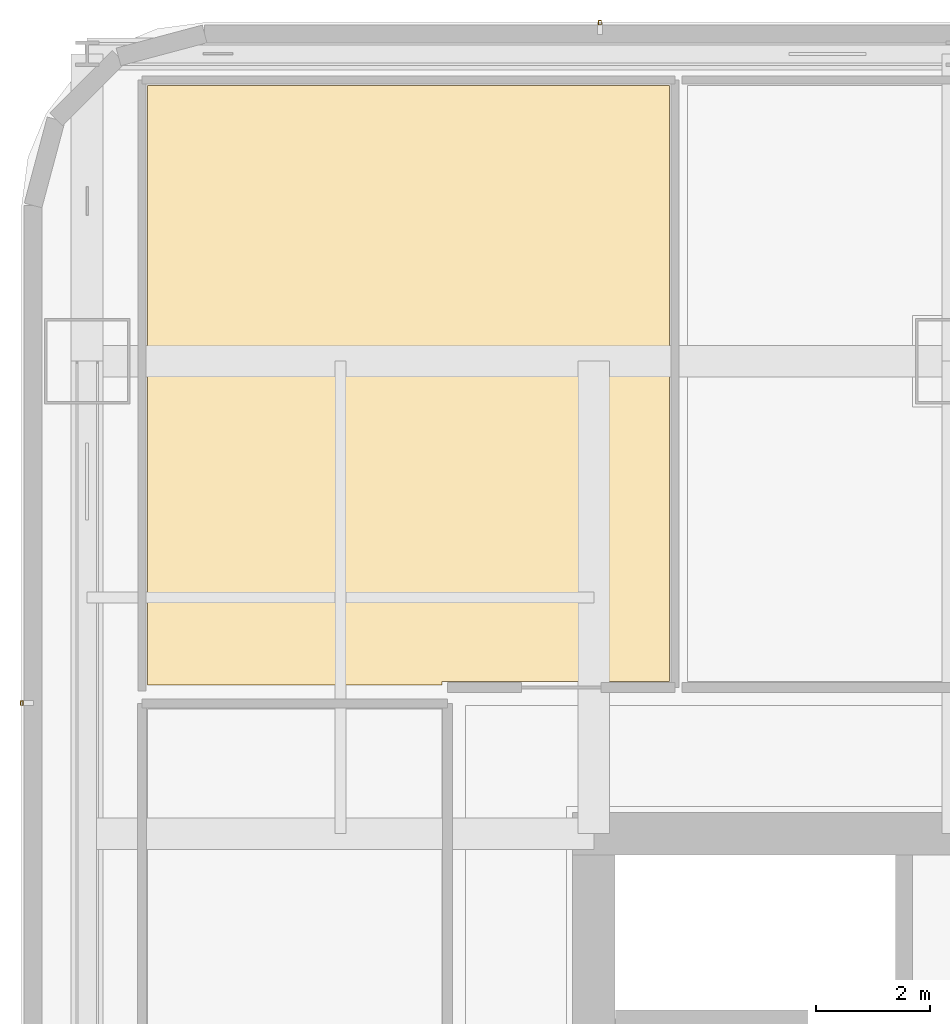
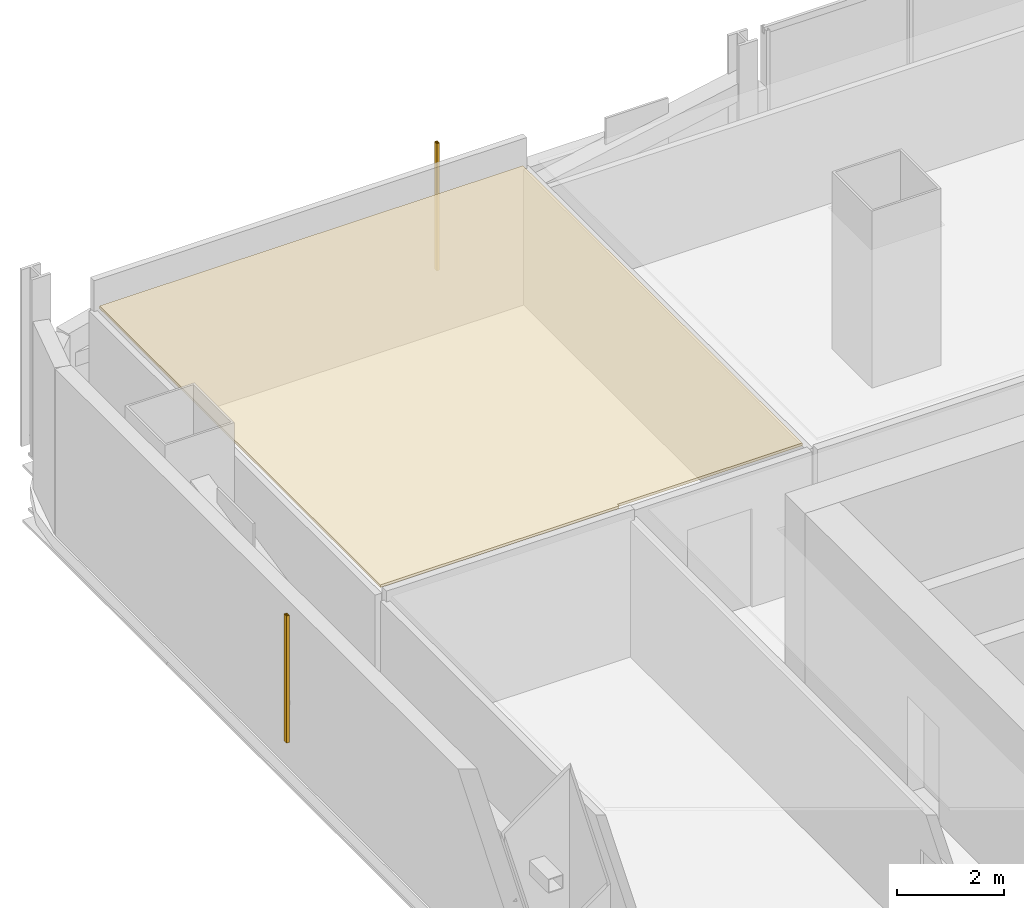
# One storey, part 24 of 28: 2 shading devices, 1 covering.
"""IFC4 building model written with IfcOpenShell, lengths in metres."""

from ifc_helpers import new_model, si_unit, direction, frame, origin, origin_2d, place, context, subcontext, project, spatial, polyline, hollow_rectangle, outline, extrude, material, layer, layer_set, material_profile, profile_set, type_object, element, save


model = new_model("IFC4")

# Units and contexts
model_context = context("Model", 3, precision=1e-05, world=origin(), true_north=direction((0.0, 1.0)))
body_context = subcontext(model_context, "Body", "Model", "MODEL_VIEW")
ifc_project = project(units=[si_unit("LENGTHUNIT", "METRE"), si_unit("AREAUNIT", "SQUARE_METRE"), si_unit("VOLUMEUNIT", "CUBIC_METRE"), si_unit("PLANEANGLEUNIT", "RADIAN"), si_unit("MASSUNIT", "GRAM", prefix="KILO")], contexts=[model_context])

# Site, building, storey
site_placement = place(None, origin())
site = spatial("IfcSite", under=ifc_project, at=site_placement, CompositionType="ELEMENT")
building_placement = place(site_placement, origin())
building = spatial("IfcBuilding", under=site, at=building_placement, Name="Punatoya Terracotta Tower", CompositionType="ELEMENT")
storey_placement = place(building_placement, frame((0.0, 0.0, 93.0)))
storey = spatial("IfcBuildingStorey", under=building, at=storey_placement, Name="L21", CompositionType="ELEMENT", Elevation=93.0)

# Covering
ifc_material_1 = material(Name="Acoustic Mineral Fibre Ceiling")
ifc_layer = layer(ifc_material_1, 0.06005859375)
ifc_layer_set = layer_set([ifc_layer], Name="Acoustic Mineral Fibre Ceiling")
covering_type = type_object("IfcCoveringType", Name="COV-CEIL-60", PredefinedType="CEILING", material=ifc_layer_set)
covering_placement = place(storey_placement, frame((0.0, 0.0, 3.159912109375)))
element("IfcCovering", 1, at=covering_placement, inside=storey, type_object=covering_type, Name="L21 Editorial Conference Room Acoustic Ceiling", PredefinedType="CEILING", context=body_context, shape_type="SweptSolid", body=[
    extrude(outline(polyline([(-18.0400390625, 22.340087890625), (-18.0400390625, 11.81005859375), (-12.8701171875, 11.81005859375), (-12.8701171875, 11.8701171875), (-8.8720703125, 11.8701171875), (-8.8720703125, 22.340087890625), (-18.0400390625, 22.340087890625)])), origin(), (0.0, 0.0, 1.0), 0.06005859375),
])

# Shading devices
ifc_material_2 = material(Name="Architectural Fired Terracotta", Category="masonry")
ifc_material_profile = material_profile(ifc_material_2, hollow_rectangle(XDim=0.06005859375, YDim=0.090087890625, WallThickness=0.013916015625, at=origin_2d()))
ifc_profile_set = profile_set([ifc_material_profile], Name="Architectural Fired Terracotta")
shading_device_type = type_object("IfcShadingDeviceType", Name="SHD-JALI-90", PredefinedType="JALOUSIE", material=ifc_profile_set)
for number, where, z_axis, x_axis, name in (
    (2, (-10.093505859375, 23.449951171875, 0.60009765625), (0.0, 0.0, 1.0), (1.0, 0.0, 0.0), "L21 Braced Bay Terracotta Jali Fin N2"),
    (3, (-20.25, 11.493408203125, 0.60009765625), (0.0, 0.0, 1.0), (1.0, 0.0, 0.0), "L21 Braced Bay Terracotta Jali Fin W1"),
):
    element("IfcShadingDevice", number, at=place(storey_placement, frame(where, z_axis=z_axis, x_axis=x_axis)), inside=storey, type_object=shading_device_type, Name=name, PredefinedType="JALOUSIE", context=body_context, shape_type="SweptSolid", body=[
        extrude(hollow_rectangle(XDim=0.06005859375, YDim=0.090087890625, WallThickness=0.013916015625, at=origin_2d()), origin(), (0.0, 0.0, 1.0), 2.909912109375),
    ])

save(model, "model.ifc")
